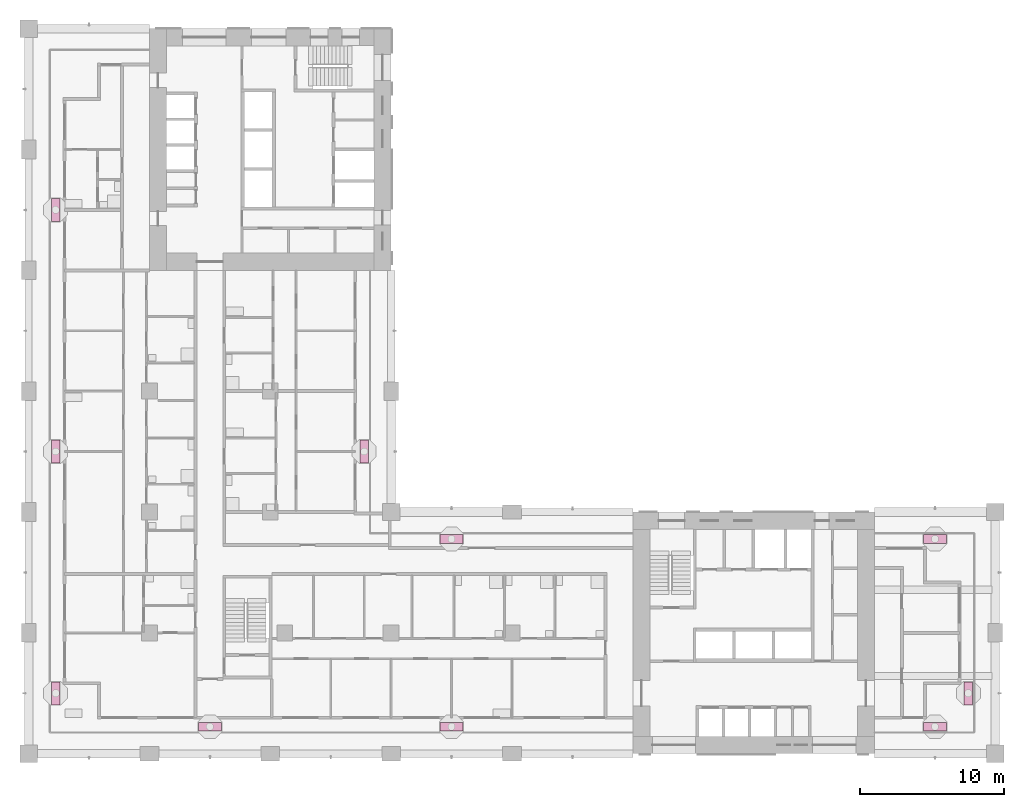
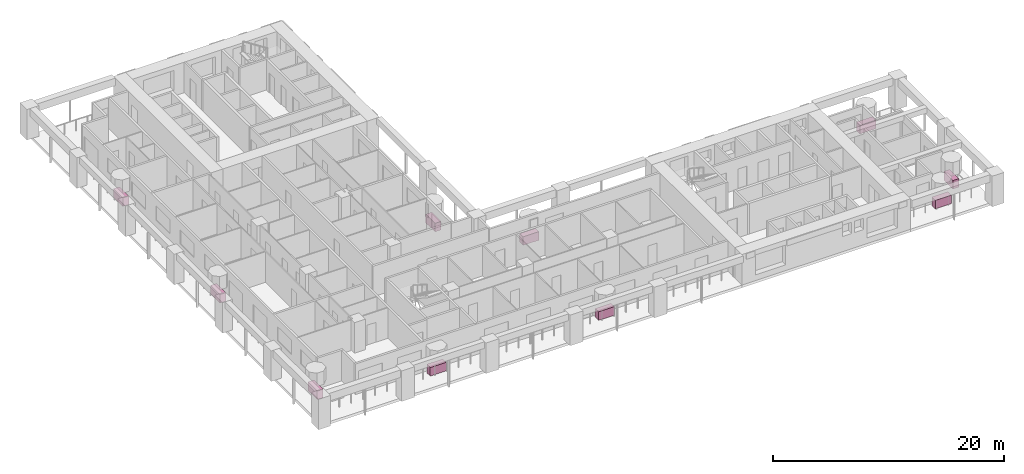
# One storey, part 18 of 19: 10 furniture elements.
"""IFC4 building model written with IfcOpenShell, lengths in metres."""

from ifc_helpers import new_model, si_unit, direction, frame, origin, origin_2d, place, context, subcontext, project, spatial, rectangle, extrude, material, element, save


model = new_model("IFC4")

# Units and contexts
model_context = context("Model", 3, precision=1e-05, world=origin(), true_north=direction((0.0, 1.0)))
body_context = subcontext(model_context, "Body", "Model", "MODEL_VIEW")
ifc_project = project(units=[si_unit("LENGTHUNIT", "METRE"), si_unit("AREAUNIT", "SQUARE_METRE"), si_unit("VOLUMEUNIT", "CUBIC_METRE"), si_unit("PLANEANGLEUNIT", "RADIAN"), si_unit("MASSUNIT", "GRAM", prefix="KILO")], contexts=[model_context])

# Site, building, storey
site_placement = place(None, origin())
site = spatial("IfcSite", under=ifc_project, at=site_placement, CompositionType="ELEMENT")
building_placement = place(site_placement, origin())
building = spatial("IfcBuilding", under=site, at=building_placement, Name="Vermilion Gate Residences", CompositionType="ELEMENT")
storey_placement = place(building_placement, frame((0.0, 0.0, 123.199951171875)))
storey = spatial("IfcBuildingStorey", under=building, at=storey_placement, Name="L31", CompositionType="ELEMENT", Elevation=123.199951171875)

# Furniture
ifc_material = material(Name="Terracotta planter", Category="masonry")
for number, where, z_axis, x_axis, name in (
    (1, (12.60009765625, 10.27490234375, 0.0), (0.0, 0.0, 1.0), (1.0, 0.0, 0.0), "PLANTER"),
    (2, (29.39990234375, 10.27490234375, 0.0), (0.0, 0.0, 1.0), (1.0, 0.0, 0.0), "PLANTER"),
    (3, (63.0, 10.27490234375, 0.0), (0.0, 0.0, 1.0), (1.0, 0.0, 0.0), "PLANTER"),
    (4, (65.324951171875, 12.60009765625, 0.0), (0.0, 0.0, 1.0), (0.0, 1.0, 0.0), "PLANTER"),
    (5, (29.39990234375, 23.324951171875, 0.0), (0.0, 0.0, 1.0), (-1.0, 0.0, 0.0), "PLANTER"),
    (6, (63.0, 23.324951171875, 0.0), (0.0, 0.0, 1.0), (-1.0, 0.0, 0.0), "PLANTER"),
    (7, (23.324951171875, 29.39990234375, 0.0), (0.0, 0.0, 1.0), (0.0, 1.0, 0.0), "PLANTER"),
    (8, (1.875, 12.60009765625, 0.0), (0.0, 0.0, 1.0), (0.0, -1.0, 0.0), "PLANTER"),
    (9, (1.875, 29.39990234375, 0.0), (0.0, 0.0, 1.0), (0.0, -1.0, 0.0), "PLANTER"),
    (10, (1.875, 46.199951171875, 0.0), (0.0, 0.0, 1.0), (0.0, -1.0, 0.0), "PLANTER"),
):
    element("IfcFurniture", number, at=place(storey_placement, frame(where, z_axis=z_axis, x_axis=x_axis)), inside=storey, material=ifc_material, Name=name, ObjectType="PLANTER", PredefinedType="USERDEFINED", context=body_context, shape_type="SweptSolid", body=[
        extrude(rectangle(XDim=1.60009765625, YDim=0.60009765625, at=origin_2d()), origin(), (0.0, 0.0, 1.0), 0.89990234375),
    ])

save(model, "model.ifc")
